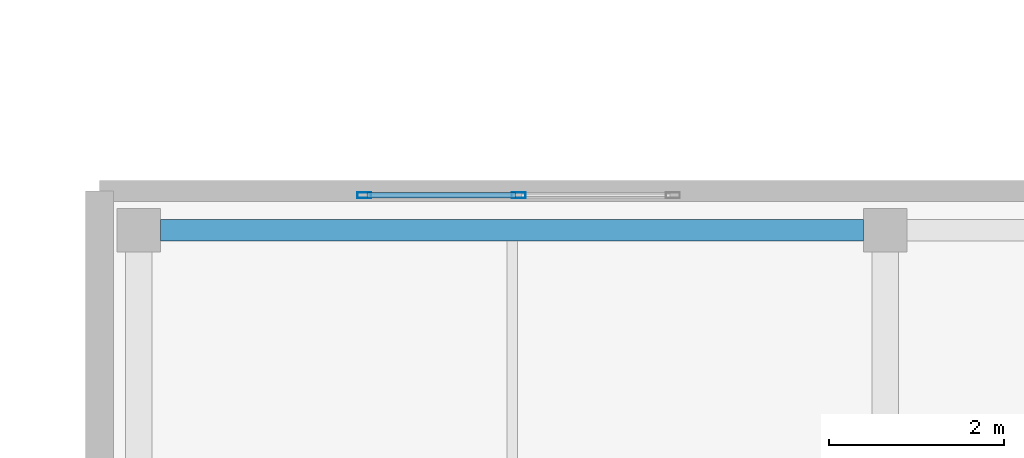
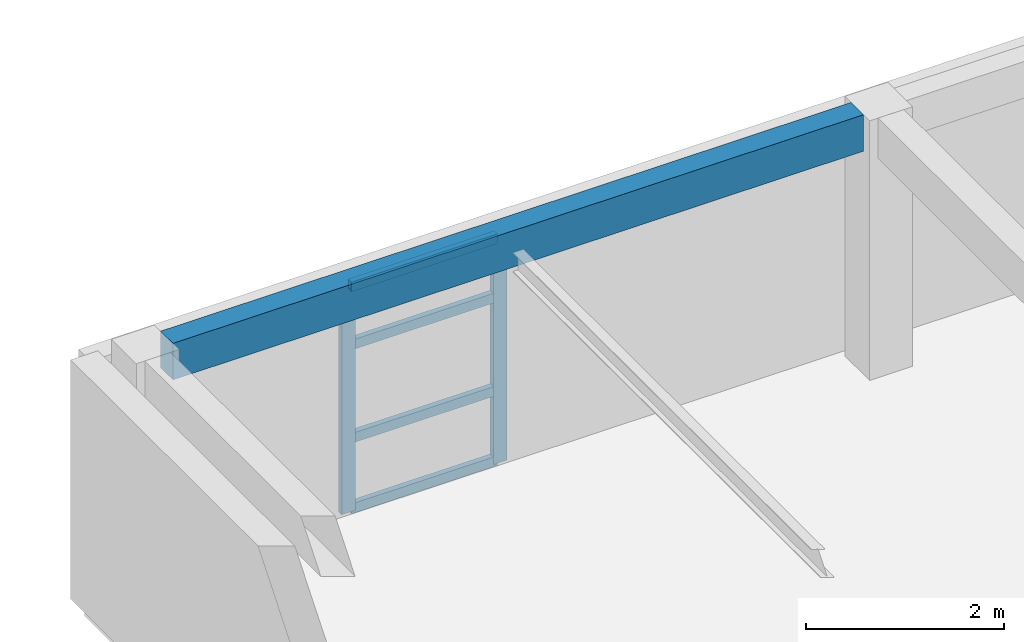
# One storey, part 5 of 89: 6 members, 1 beam, 1 element without a shape of its own.
"""IFC4 building model written with IfcOpenShell, lengths in metres."""

from ifc_helpers import new_model, si_unit, direction, frame, origin, origin_2d, place, context, subcontext, project, spatial, rectangle, hollow_rectangle, extrude, material, layer, layer_set, material_profile, profile_set, type_object, element, aggregate, save


model = new_model("IFC4")

# Units and contexts
model_context = context("Model", 3, precision=1e-05, world=origin(), true_north=direction((0.0, 1.0)))
body_context = subcontext(model_context, "Body", "Model", "MODEL_VIEW")
ifc_project = project(units=[si_unit("LENGTHUNIT", "METRE"), si_unit("AREAUNIT", "SQUARE_METRE"), si_unit("VOLUMEUNIT", "CUBIC_METRE"), si_unit("PLANEANGLEUNIT", "RADIAN"), si_unit("MASSUNIT", "GRAM", prefix="KILO")], contexts=[model_context])

# Site, building, storey
site_placement = place(None, origin())
site = spatial("IfcSite", under=ifc_project, at=site_placement, CompositionType="ELEMENT")
building_placement = place(site_placement, origin())
building = spatial("IfcBuilding", under=site, at=building_placement, Name="Keldmere Railside Commons", CompositionType="ELEMENT")
storey_placement = place(building_placement, frame((0.0, 0.0, 7.360107421875)))
storey = spatial("IfcBuildingStorey", under=building, at=storey_placement, Name="L02", CompositionType="ELEMENT", Elevation=7.360107421875)

# Beam
ifc_material_1 = material(Name="Architectural Precast Concrete H-35 (C35/45)", Category="concrete")
ifc_material_profile_1 = material_profile(ifc_material_1, rectangle(XDim=0.25, YDim=0.449951171875, at=origin_2d()), Name="RC-250x450")
ifc_profile_set_1 = profile_set([ifc_material_profile_1], Name="Architectural Precast Concrete H-35 (C35/45)")
beam_type = type_object("IfcBeamType", Name="Perimeter Precast Spandrel Beam 250x450", PredefinedType="SPANDREL", material=ifc_profile_set_1)
beam_placement = place(storey_placement, frame((128.699951171875, 39.550048828125, 2.974853515625), z_axis=(1.0, 0.0, 0.0), x_axis=(0.0, 1.0, 0.0)))
element("IfcBeam", 1, at=beam_placement, inside=storey, type_object=beam_type, Name="SPB-1 BM-L02-1063", PredefinedType="SPANDREL", context=body_context, shape_type="SweptSolid", body=[
    extrude(rectangle(XDim=0.25, YDim=0.449951171875, at=origin_2d()), origin(), (0.0, 0.0, 1.0), 8.050048828125),
])

# Curtain wall, members
ifc_material_2 = material(Name="Thermally Broken Aluminium", Category="aluminium")
ifc_layer = layer(ifc_material_2, 0.159912109375, Name="Market Arcade Upper Gallery CW 3600x2800")
ifc_layer_set = layer_set([ifc_layer], Name="Thermally Broken Aluminium")
curtain_wall_type = type_object("IfcCurtainWallType", Name="Market Arcade Upper Gallery CW 3600x2800", PredefinedType="NOTDEFINED", material=ifc_layer_set)
curtain_wall_placement = place(storey_placement, origin())
curtain_wall = element("IfcCurtainWall", 2, at=curtain_wall_placement, inside=storey, type_object=curtain_wall_type, Name="CW-03 CW-L02-224", PredefinedType="NOTDEFINED")
ifc_material_profile_2 = material_profile(ifc_material_2, hollow_rectangle(XDim=0.06494140625, YDim=0.159912109375, WallThickness=0.00390625, at=origin_2d()), Name="ALU-MULL-65x160")
ifc_profile_set_2 = profile_set([ifc_material_profile_2], Name="Thermally Broken Aluminium")
member_type_1 = type_object("IfcMemberType", Name="Unitised Curtain Wall Mullion 65x160", PredefinedType="MULLION", material=ifc_profile_set_2)
member_1_placement = place(storey_placement, frame((131.032470703125, 39.949951171875, 0.0), z_axis=(0.0, 0.0, 1.0), x_axis=(0.0, 1.0, 0.0)))
member_1 = element("IfcMember", 3, at=member_1_placement, type_object=member_type_1, Name="CW-03 mullion 1", PredefinedType="MULLION", context=body_context, shape_type="SweptSolid", body=[
    extrude(hollow_rectangle(XDim=0.06494140625, YDim=0.159912109375, WallThickness=0.00390625, at=origin_2d()), origin(), (0.0, 0.0, 1.0), 2.7998046875),
])
member_2_placement = place(storey_placement, frame((132.800048828125, 39.949951171875, 0.0), z_axis=(0.0, 0.0, 1.0), x_axis=(0.0, 1.0, 0.0)))
member_2 = element("IfcMember", 4, at=member_2_placement, type_object=member_type_1, Name="CW-03 mullion 2", PredefinedType="MULLION", context=body_context, shape_type="SweptSolid", body=[
    extrude(hollow_rectangle(XDim=0.06494140625, YDim=0.159912109375, WallThickness=0.00390625, at=origin_2d()), origin(), (0.0, 0.0, 1.0), 2.7998046875),
])
ifc_material_profile_3 = material_profile(ifc_material_2, hollow_rectangle(XDim=0.06494140625, YDim=0.1201171875, WallThickness=0.00390625, at=origin_2d()), Name="ALU-TRAN-65x120")
ifc_profile_set_3 = profile_set([ifc_material_profile_3], Name="Thermally Broken Aluminium")
member_type_2 = type_object("IfcMemberType", Name="Unitised Curtain Wall Transom 65x120", PredefinedType="USERDEFINED", material=ifc_profile_set_3)
member_3_placement = place(storey_placement, frame((131.06494140625, 39.949951171875, 0.032470703125), z_axis=(1.0, 0.0, 0.0), x_axis=(0.0, 1.0, 0.0)))
member_3 = element("IfcMember", 5, at=member_3_placement, type_object=member_type_2, Name="CW-03 transom 1.1", ObjectType="TRANSOM", PredefinedType="USERDEFINED", context=body_context, shape_type="SweptSolid", body=[
    extrude(hollow_rectangle(XDim=0.06494140625, YDim=0.1201171875, WallThickness=0.00390625, at=origin_2d()), origin(), (0.0, 0.0, 1.0), 1.70263671875),
])
member_4_placement = place(storey_placement, frame((131.06494140625, 39.949951171875, 0.89990234375), z_axis=(1.0, 0.0, 0.0), x_axis=(0.0, 1.0, 0.0)))
member_4 = element("IfcMember", 6, at=member_4_placement, type_object=member_type_2, Name="CW-03 transom 1.2", ObjectType="TRANSOM", PredefinedType="USERDEFINED", context=body_context, shape_type="SweptSolid", body=[
    extrude(hollow_rectangle(XDim=0.06494140625, YDim=0.1201171875, WallThickness=0.00390625, at=origin_2d()), origin(), (0.0, 0.0, 1.0), 1.70263671875),
])
member_5_placement = place(storey_placement, frame((131.06494140625, 39.949951171875, 2.0498046875), z_axis=(1.0, 0.0, 0.0), x_axis=(0.0, 1.0, 0.0)))
member_5 = element("IfcMember", 7, at=member_5_placement, type_object=member_type_2, Name="CW-03 transom 1.3", ObjectType="TRANSOM", PredefinedType="USERDEFINED", context=body_context, shape_type="SweptSolid", body=[
    extrude(hollow_rectangle(XDim=0.06494140625, YDim=0.1201171875, WallThickness=0.00390625, at=origin_2d()), origin(), (0.0, 0.0, 1.0), 1.70263671875),
])
member_6_placement = place(storey_placement, frame((131.06494140625, 39.949951171875, 2.767333984375), z_axis=(1.0, 0.0, 0.0), x_axis=(0.0, 1.0, 0.0)))
member_6 = element("IfcMember", 8, at=member_6_placement, type_object=member_type_2, Name="CW-03 transom 1.4", ObjectType="TRANSOM", PredefinedType="USERDEFINED", context=body_context, shape_type="SweptSolid", body=[
    extrude(hollow_rectangle(XDim=0.06494140625, YDim=0.1201171875, WallThickness=0.00390625, at=origin_2d()), origin(), (0.0, 0.0, 1.0), 1.70263671875),
])
aggregate(curtain_wall, [member_1, member_2, member_3, member_4, member_5, member_6])

save(model, "model.ifc")
